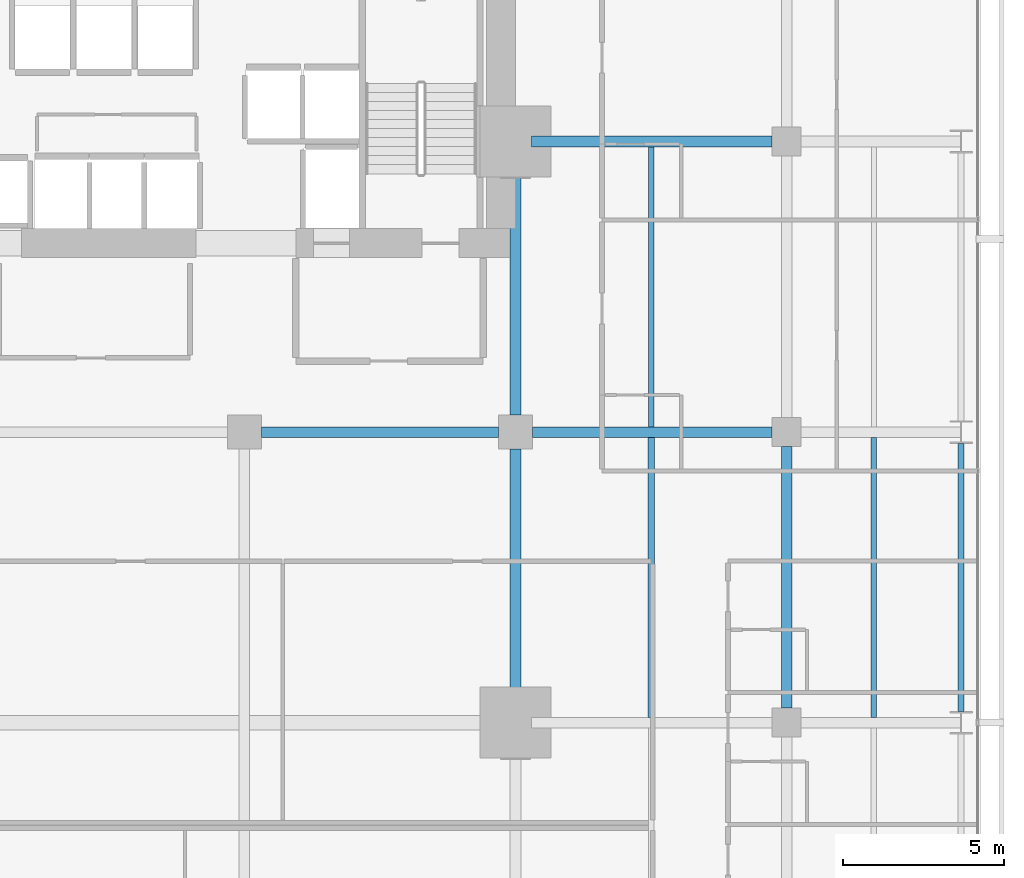
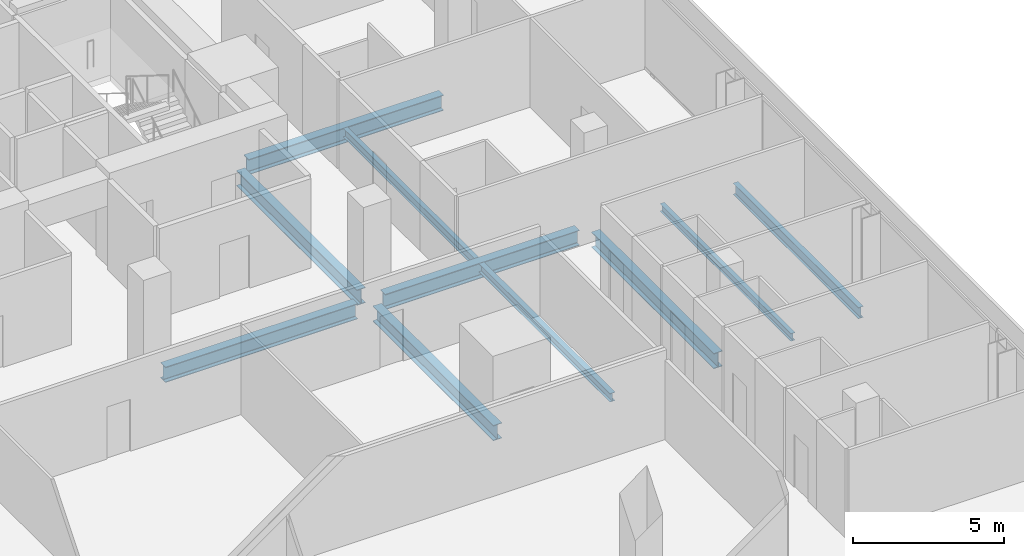
# One storey, part 27 of 40: 10 beams.
"""IFC4 building model written with IfcOpenShell, lengths in metres."""

from ifc_helpers import new_model, si_unit, direction, frame, origin, origin_2d, place, context, subcontext, project, spatial, i_section, extrude, material, material_profile, profile_set, type_object, element, save


model = new_model("IFC4")

# Units and contexts
model_context = context("Model", 3, precision=1e-05, world=origin(), true_north=direction((0.0, 1.0)))
body_context = subcontext(model_context, "Body", "Model", "MODEL_VIEW")
ifc_project = project(units=[si_unit("LENGTHUNIT", "METRE"), si_unit("AREAUNIT", "SQUARE_METRE"), si_unit("VOLUMEUNIT", "CUBIC_METRE"), si_unit("PLANEANGLEUNIT", "RADIAN"), si_unit("MASSUNIT", "GRAM", prefix="KILO")], contexts=[model_context])

# Site, building, storey
site_placement = place(None, origin())
site = spatial("IfcSite", under=ifc_project, at=site_placement, CompositionType="ELEMENT")
building_placement = place(site_placement, origin())
building = spatial("IfcBuilding", under=site, at=building_placement, Name="Maruvema Waterfront Hotel and Observation Tower", CompositionType="ELEMENT")
storey_placement = place(building_placement, frame((0.0, 0.0, 53.89990234375)))
storey = spatial("IfcBuildingStorey", under=building, at=storey_placement, Name="L12", CompositionType="ELEMENT", Elevation=53.89990234375)

# Beams
ifc_material_1 = material(Name="Steel ASTM A572 Grade 50", Category="steel")
ifc_material_profile_1 = material_profile(ifc_material_1, i_section(OverallWidth=0.18994140625, OverallDepth=0.45703125, WebThickness=0.009033203125, FlangeThickness=0.014404296875, FilletRadius=0.014892578125, at=origin_2d()), Name="W460x74.0")
ifc_profile_set_1 = profile_set([ifc_material_profile_1], Name="Steel ASTM A572 Grade 50")
beam_type_1 = type_object("IfcBeamType", Name="Perimeter Spandrel Beam W460x74.0", PredefinedType="SPANDREL", material=ifc_profile_set_1)
beam_1_placement = place(storey_placement, frame((64.199951171875, 27.35009765625, -0.468505859375), z_axis=(0.0, 1.0, 0.0), x_axis=(-1.0, 0.0, 0.0)))
element("IfcBeam", 1, at=beam_1_placement, inside=storey, type_object=beam_type_1, Name="L12 Floor Girder NS-35", PredefinedType="SPANDREL", context=body_context, shape_type="SweptSolid", body=[
    extrude(i_section(OverallWidth=0.18994140625, OverallDepth=0.45703125, WebThickness=0.009033203125, FlangeThickness=0.014404296875, FilletRadius=0.014892578125, at=origin_2d()), origin(), (0.0, 0.0, 1.0), 8.2998046875),
])
ifc_material_2 = material(Name="Steel ASTM A572 Grade 50", Category="steel")
ifc_material_profile_2 = material_profile(ifc_material_2, i_section(OverallWidth=0.326904296875, OverallDepth=0.6220703125, WebThickness=0.015380859375, FlangeThickness=0.0244140625, FilletRadius=0.01806640625, at=origin_2d()), Name="W610x195.0")
ifc_profile_set_2 = profile_set([ifc_material_profile_2], Name="Steel ASTM A572 Grade 50")
beam_type_2 = type_object("IfcBeamType", Name="Primary Floor Girder W610x195.0", PredefinedType="BEAM", material=ifc_profile_set_2)
beam_2_placement = place(storey_placement, frame((42.52490234375, 36.0, -0.55078125), z_axis=(1.0, 0.0, 0.0), x_axis=(0.0, 1.0, 0.0)))
element("IfcBeam", 2, at=beam_2_placement, inside=storey, type_object=beam_type_2, Name="L12 Floor Girder EW-29", PredefinedType="BEAM", context=body_context, shape_type="SweptSolid", body=[
    extrude(i_section(OverallWidth=0.326904296875, OverallDepth=0.6220703125, WebThickness=0.015380859375, FlangeThickness=0.0244140625, FilletRadius=0.01806640625, at=origin_2d()), origin(), (0.0, 0.0, 1.0), 7.35009765625),
])
beam_3_placement = place(storey_placement, frame((50.925048828125, 36.0, -0.55078125), z_axis=(1.0, 0.0, 0.0), x_axis=(0.0, 1.0, 0.0)))
element("IfcBeam", 3, at=beam_3_placement, inside=storey, type_object=beam_type_2, Name="L12 Floor Girder EW-30", PredefinedType="BEAM", context=body_context, shape_type="SweptSolid", body=[
    extrude(i_section(OverallWidth=0.326904296875, OverallDepth=0.6220703125, WebThickness=0.015380859375, FlangeThickness=0.0244140625, FilletRadius=0.01806640625, at=origin_2d()), origin(), (0.0, 0.0, 1.0), 7.425048828125),
])
beam_4_placement = place(storey_placement, frame((50.89990234375, 45.0, -0.55078125), z_axis=(1.0, 0.0, 0.0), x_axis=(0.0, 1.0, 0.0)))
element("IfcBeam", 4, at=beam_4_placement, inside=storey, type_object=beam_type_2, Name="L12 Floor Girder EW-34", PredefinedType="BEAM", context=body_context, shape_type="SweptSolid", body=[
    extrude(i_section(OverallWidth=0.326904296875, OverallDepth=0.6220703125, WebThickness=0.015380859375, FlangeThickness=0.0244140625, FilletRadius=0.01806640625, at=origin_2d()), origin(), (0.0, 0.0, 1.0), 7.4501953125),
])
for number, where, z_axis, x_axis, name in (
    (5, (50.39990234375, 27.5, -0.55078125), (0.0, 1.0, 0.0), (-1.0, 0.0, 0.0), "L12 Floor Girder NS-25"),
    (6, (50.39990234375, 36.52490234375, -0.55078125), (0.0, 1.0, 0.0), (-1.0, 0.0, 0.0), "L12 Floor Girder NS-26"),
):
    element("IfcBeam", number, at=place(storey_placement, frame(where, z_axis=z_axis, x_axis=x_axis)), inside=storey, type_object=beam_type_2, Name=name, PredefinedType="BEAM", context=body_context, shape_type="SweptSolid", body=[
        extrude(i_section(OverallWidth=0.326904296875, OverallDepth=0.6220703125, WebThickness=0.015380859375, FlangeThickness=0.0244140625, FilletRadius=0.01806640625, at=origin_2d()), origin(), (0.0, 0.0, 1.0), 7.97509765625),
    ])
beam_5_placement = place(storey_placement, frame((58.800048828125, 27.449951171875, -0.55078125), z_axis=(0.0, 1.0, 0.0), x_axis=(-1.0, 0.0, 0.0)))
element("IfcBeam", 7, at=beam_5_placement, inside=storey, type_object=beam_type_2, Name="L12 Floor Girder NS-30", PredefinedType="BEAM", context=body_context, shape_type="SweptSolid", body=[
    extrude(i_section(OverallWidth=0.326904296875, OverallDepth=0.6220703125, WebThickness=0.015380859375, FlangeThickness=0.0244140625, FilletRadius=0.01806640625, at=origin_2d()), origin(), (0.0, 0.0, 1.0), 8.10009765625),
])
ifc_material_3 = material(Name="Steel ASTM A572 Grade 50", Category="steel")
ifc_material_profile_3 = material_profile(ifc_material_3, i_section(OverallWidth=0.1650390625, OverallDepth=0.31005859375, WebThickness=0.005859375, FlangeThickness=0.009765625, FilletRadius=0.012939453125, at=origin_2d()), Name="W310x38.7")
ifc_profile_set_3 = profile_set([ifc_material_profile_3], Name="Steel ASTM A572 Grade 50")
beam_type_3 = type_object("IfcBeamType", Name="Secondary Floor Joist W310x38.7", PredefinedType="JOIST", material=ifc_profile_set_3)
beam_6_placement = place(storey_placement, frame((61.5, 27.16357421875, -0.39501953125), z_axis=(0.0, 1.0, 0.0), x_axis=(-1.0, 0.0, 0.0)))
element("IfcBeam", 8, at=beam_6_placement, inside=storey, type_object=beam_type_3, Name="L12 Secondary Floor Joist JS-23", PredefinedType="JOIST", context=body_context, shape_type="SweptSolid", body=[
    extrude(i_section(OverallWidth=0.1650390625, OverallDepth=0.31005859375, WebThickness=0.005859375, FlangeThickness=0.009765625, FilletRadius=0.012939453125, at=origin_2d()), origin(), (0.0, 0.0, 1.0), 8.6728515625),
])
ifc_material_4 = material(Name="Steel ASTM A572 Grade 50", Category="steel")
ifc_material_profile_4 = material_profile(ifc_material_4, i_section(OverallWidth=0.1708984375, OverallDepth=0.35498046875, WebThickness=0.007080078125, FlangeThickness=0.01171875, FilletRadius=0.014892578125, at=origin_2d()), Name="W360x51.0")
ifc_profile_set_4 = profile_set([ifc_material_profile_4], Name="Steel ASTM A572 Grade 50")
beam_type_4 = type_object("IfcBeamType", Name="Secondary Floor Joist W360x51.0", PredefinedType="JOIST", material=ifc_profile_set_4)
beam_7_placement = place(storey_placement, frame((54.60009765625, 36.16357421875, -0.41748046875), z_axis=(0.0, 1.0, 0.0), x_axis=(-1.0, 0.0, 0.0)))
element("IfcBeam", 9, at=beam_7_placement, inside=storey, type_object=beam_type_4, Name="L12 Secondary Floor Joist JS-20", PredefinedType="JOIST", context=body_context, shape_type="SweptSolid", body=[
    extrude(i_section(OverallWidth=0.1708984375, OverallDepth=0.35498046875, WebThickness=0.007080078125, FlangeThickness=0.01171875, FilletRadius=0.014892578125, at=origin_2d()), origin(), (0.0, 0.0, 1.0), 8.6728515625),
])
ifc_material_5 = material(Name="Steel ASTM A572 Grade 50", Category="steel")
ifc_material_profile_5 = material_profile(ifc_material_5, i_section(OverallWidth=0.202880859375, OverallDepth=0.346923828125, WebThickness=0.0078125, FlangeThickness=0.013427734375, FilletRadius=0.014892578125, at=origin_2d()), Name="W360x64.0")
ifc_profile_set_5 = profile_set([ifc_material_profile_5], Name="Steel ASTM A572 Grade 50")
beam_type_5 = type_object("IfcBeamType", Name="Secondary Floor Joist W360x64.0", PredefinedType="JOIST", material=ifc_profile_set_5)
beam_8_placement = place(storey_placement, frame((54.60009765625, 27.16357421875, -0.413330078125), z_axis=(0.0, 1.0, 0.0), x_axis=(-1.0, 0.0, 0.0)))
element("IfcBeam", 10, at=beam_8_placement, inside=storey, type_object=beam_type_5, Name="L12 Secondary Floor Joist JS-19", PredefinedType="JOIST", context=body_context, shape_type="SweptSolid", body=[
    extrude(i_section(OverallWidth=0.202880859375, OverallDepth=0.346923828125, WebThickness=0.0078125, FlangeThickness=0.013427734375, FilletRadius=0.014892578125, at=origin_2d()), origin(), (0.0, 0.0, 1.0), 8.6728515625),
])

save(model, "model.ifc")
